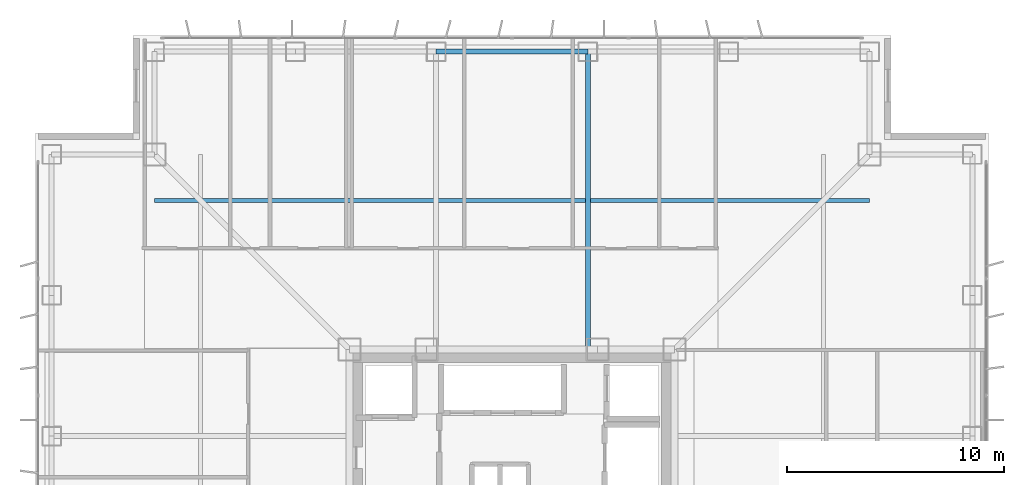
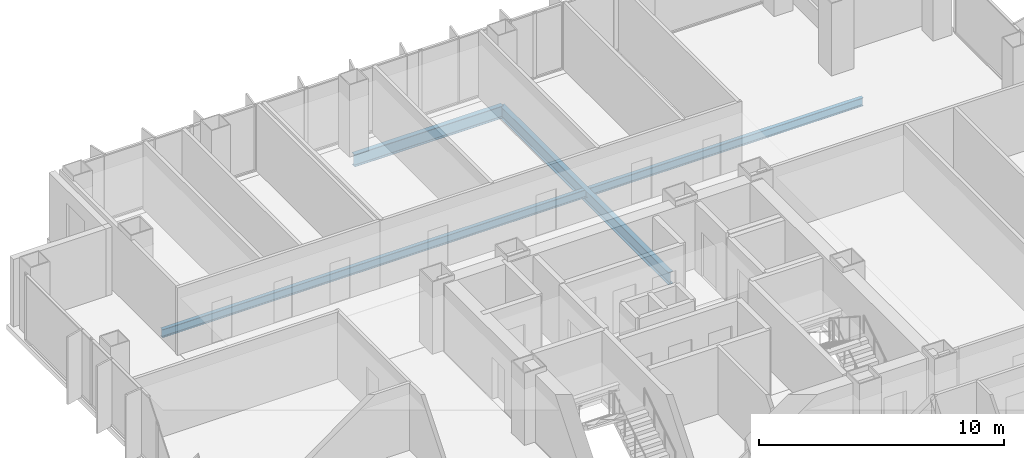
# One storey, part 10 of 18: 3 beams.
"""IFC4 building model written with IfcOpenShell, lengths in metres."""

import ifcopenshell
import ifcopenshell.guid

model = None  # the IFC model being written
_history = None  # IfcOwnerHistory: only IFC2X3 demands one
_inside = {}  # id of a spatial element -> (the spatial element, [elements in it])
_under = {}  # id of a project, library or spatial element -> (it, [spatial elements below it])
_declared = {}  # id of a project -> (the project, [libraries it declares])
_typed = {}  # id of a type object -> (the type object, [elements of that type])
_made_of = {}  # id of a material, layer set ... -> (it, [elements and type objects made of it])


def new_model(schema):
    """Start an empty IFC model of exactly this schema.

    Asked for "IFC4X3", IfcOpenShell would pick the latest addendum, in which some entities
    have other attributes; the version numbers below select the first issue.
    IFC2X3 requires an IfcOwnerHistory on every rooted entity: one is made here for all.
    """
    global model, _history
    if schema == "IFC4X3":
        model = ifcopenshell.file(schema_version=(4, 3, 0, 0))
    else:
        model = ifcopenshell.file(schema=schema)
    _inside.clear()
    _under.clear()
    _declared.clear()
    _typed.clear()
    _made_of.clear()
    _history = None
    if model.schema == "IFC2X3":
        org = make("IfcOrganization", Name="unknown")
        user = make(
            "IfcPersonAndOrganization",
            ThePerson=make("IfcPerson", FamilyName="unknown"),
            TheOrganization=org,
        )
        app = make(
            "IfcApplication",
            ApplicationDeveloper=org,
            Version="unknown",
            ApplicationFullName="unknown",
            ApplicationIdentifier="unknown",
        )
        _history = make(
            "IfcOwnerHistory",
            OwningUser=user,
            OwningApplication=app,
            ChangeAction="ADDED",
            CreationDate=0,
        )
    return model


def make(cls, **values):
    """One entity of the class cls with the attributes given. An attribute that is None is left unset."""
    return model.create_entity(
        cls, **{name: value for name, value in values.items() if value is not None}
    )


def rooted(cls, **values):
    """An entity with a GlobalId (a new one), such as an element, a storey or a relation."""
    return make(cls, GlobalId=ifcopenshell.guid.new(), OwnerHistory=_history, **values)


def si_unit(unit_type, name, prefix=None):
    """IfcSIUnit, for example si_unit("LENGTHUNIT", "METRE", prefix="MILLI")."""
    return make("IfcSIUnit", UnitType=unit_type, Prefix=prefix, Name=name)


def assignment(units):
    """IfcUnitAssignment: the units of a project."""
    return None if units is None else make("IfcUnitAssignment", Units=units)


def point(xyz):
    """IfcCartesianPoint."""
    return None if xyz is None else make("IfcCartesianPoint", Coordinates=xyz)


def direction(xyz):
    """IfcDirection."""
    return None if xyz is None else make("IfcDirection", DirectionRatios=xyz)


def frame(location, z_axis=None, x_axis=None):
    """IfcAxis2Placement3D, a coordinate frame: its origin and axes. An axis left out is left unset."""
    return make(
        "IfcAxis2Placement3D",
        Location=point(location),
        Axis=direction(z_axis),
        RefDirection=direction(x_axis),
    )


def frame_2d(location, x_axis=None):
    """IfcAxis2Placement2D, a coordinate frame in the plane: its origin and x axis."""
    return make(
        "IfcAxis2Placement2D", Location=point(location), RefDirection=direction(x_axis)
    )


def origin():
    """The frame at (0, 0, 0) with its axes left unset."""
    return frame((0.0, 0.0, 0.0))


def origin_2d():
    """The frame at (0, 0) in the plane with its x axis left unset."""
    return frame_2d((0.0, 0.0))


def place(relative_to, where):
    """IfcLocalPlacement: puts the frame where relative to a parent placement (None: the world)."""
    return make(
        "IfcLocalPlacement", PlacementRelTo=relative_to, RelativePlacement=where
    )


def context(
    kind, dimensions, precision=None, world=None, true_north=None, identifier=None
):
    """IfcGeometricRepresentationContext, for example the 3D "Model" context."""
    return make(
        "IfcGeometricRepresentationContext",
        ContextIdentifier=identifier,
        ContextType=kind,
        CoordinateSpaceDimension=dimensions,
        Precision=precision,
        WorldCoordinateSystem=world,
        TrueNorth=true_north,
    )


def subcontext(parent, identifier, kind, view, scale=None):
    """IfcGeometricRepresentationSubContext, for example "Body" below "Model"."""
    return make(
        "IfcGeometricRepresentationSubContext",
        ContextIdentifier=identifier,
        ContextType=kind,
        ParentContext=parent,
        TargetScale=scale,
        TargetView=view,
    )


def project(units=None, contexts=None):
    """IfcProject with its units and contexts."""
    return rooted(
        "IfcProject",
        Name="project",
        RepresentationContexts=contexts,
        UnitsInContext=assignment(units),
    )


def spatial(cls, under=None, at=None, **own):
    """A site, building, storey or space (cls), placed at a placement, below another one or the project."""
    s = rooted(cls, ObjectPlacement=at, **own)
    if under is not None:
        _under.setdefault(under.id(), (under, []))[1].append(s)
    return s


def profile(cls, at=None, kind="AREA", **sizes):
    """A parametric profile (cls). Its sizes go by their IFC names, for example OverallWidth=200.0."""
    return make(cls, ProfileType=kind, Position=at, **sizes)


def i_section(**sizes):
    """IfcIShapeProfileDef."""
    return profile("IfcIShapeProfileDef", **sizes)


def extrude(swept, where, along, depth):
    """IfcExtrudedAreaSolid: the profile swept, set in the frame where, extruded along a direction by depth."""
    return make(
        "IfcExtrudedAreaSolid",
        SweptArea=swept,
        Position=where,
        ExtrudedDirection=direction(along),
        Depth=depth,
    )


def shape(context_of_items, identifier, shape_type, items):
    """IfcShapeRepresentation: the items that make up one representation, for example the "Body"."""
    return make(
        "IfcShapeRepresentation",
        ContextOfItems=context_of_items,
        RepresentationIdentifier=identifier,
        RepresentationType=shape_type,
        Items=items,
    )


def material(Name=None, Category=None):
    """IfcMaterial."""
    return make("IfcMaterial", Name=Name, Category=Category)


def material_profile(
    of_material, cross_section, Name=None, Category=None, Priority=None
):
    """IfcMaterialProfile: a cross section and its material."""
    return make(
        "IfcMaterialProfile",
        Name=Name,
        Material=of_material,
        Profile=cross_section,
        Priority=Priority,
        Category=Category,
    )


def profile_set(profiles, Name=None, composite=None):
    """IfcMaterialProfileSet."""
    return make(
        "IfcMaterialProfileSet",
        Name=Name,
        MaterialProfiles=profiles,
        CompositeProfile=composite,
    )


def made_of(thing, what):
    """Note that an element or type object is made of a material, layer set ...; save() writes the relation."""
    if what is not None:
        _made_of.setdefault(what.id(), (what, []))[1].append(thing)
    return thing


def type_object(cls, material=None, **own):
    """A type object (cls), such as IfcWallType, which elements share."""
    return made_of(rooted(cls, **own), material)


def element(
    cls,
    number,
    at=None,
    inside=None,
    cuts=None,
    type_object=None,
    material=None,
    context=None,
    identifier="Body",
    shape_type=None,
    held_by="IfcProductDefinitionShape",
    body=None,
    shapes=None,
    **own,
):
    """One element of the class cls, such as IfcWall. Its Tag is "e" and its number.

    at: its placement. inside: the storey or other place that contains it. cuts: it is an
    opening in that element (IfcRelVoidsElement). A single representation is given by context,
    identifier, shape_type and body (its items); several are given by shapes. held_by: the class
    of the entity that holds the representations. save() writes the other relations.
    """
    e = rooted(cls, Tag="e%d" % number, ObjectPlacement=at, **own)
    if body is not None:
        shapes = [shape(context, identifier, shape_type, body)]
    if shapes is not None:
        e.Representation = make(held_by, Representations=shapes)
    if inside is not None:
        _inside.setdefault(inside.id(), (inside, []))[1].append(e)
    if cuts is not None:
        rooted(
            "IfcRelVoidsElement", RelatingBuildingElement=cuts, RelatedOpeningElement=e
        )
    if type_object is not None:
        _typed.setdefault(type_object.id(), (type_object, []))[1].append(e)
    return made_of(e, material)


def aggregate(whole, parts):
    """IfcRelAggregates: a whole, such as a stair, and the parts it consists of."""
    return rooted("IfcRelAggregates", RelatingObject=whole, RelatedObjects=parts)


def save(model, path):
    """Write the relations noted so far, then the file.

    IfcRelAggregates (storeys below a building ...), IfcRelContainedInSpatialStructure (elements
    in a storey), IfcRelDefinesByType, IfcRelAssociatesMaterial and IfcRelDeclares: one each for
    every whole, place, type object, material and project.
    """
    for whole, parts in _under.values():
        aggregate(whole, parts)
    for where, things in _inside.values():
        rooted(
            "IfcRelContainedInSpatialStructure",
            RelatedElements=things,
            RelatingStructure=where,
        )
    for kind, things in _typed.values():
        rooted("IfcRelDefinesByType", RelatedObjects=things, RelatingType=kind)
    for what, things in _made_of.values():
        rooted("IfcRelAssociatesMaterial", RelatedObjects=things, RelatingMaterial=what)
    for by, libraries in _declared.values():
        rooted("IfcRelDeclares", RelatingContext=by, RelatedDefinitions=libraries)
    model.write(path)


model = new_model("IFC4")

# Units and contexts
model_context = context("Model", 3, precision=1e-05, world=origin(), true_north=direction((0.0, 1.0)))
body_context = subcontext(model_context, "Body", "Model", "MODEL_VIEW")
ifc_project = project(units=[si_unit("LENGTHUNIT", "METRE"), si_unit("AREAUNIT", "SQUARE_METRE"), si_unit("VOLUMEUNIT", "CUBIC_METRE"), si_unit("PLANEANGLEUNIT", "RADIAN"), si_unit("MASSUNIT", "GRAM", prefix="KILO")], contexts=[model_context])

# Site, building, storey
site_placement = place(None, origin())
site = spatial("IfcSite", under=ifc_project, at=site_placement, CompositionType="ELEMENT")
building_placement = place(site_placement, origin())
building = spatial("IfcBuilding", under=site, at=building_placement, Name="Trevonay Congress Spire", CompositionType="ELEMENT")
storey_placement = place(building_placement, frame((0.0, 0.0, 148.0)))
storey = spatial("IfcBuildingStorey", under=building, at=storey_placement, Name="L38", CompositionType="ELEMENT", Elevation=148.0)

# Beams
ifc_material = material(Name="Steel ASTM A572 Grade 50", Category="steel")
ifc_material_profile_1 = material_profile(ifc_material, i_section(OverallWidth=0.22998046875, OverallDepth=0.616943359375, WebThickness=0.01318359375, FlangeThickness=0.022216796875, FilletRadius=0.01611328125, at=origin_2d()), Name="W610x140")
ifc_profile_set_1 = profile_set([ifc_material_profile_1], Name="Steel ASTM A572 Grade 50")
beam_type_1 = type_object("IfcBeamType", Name="BM-GIRD-W610X140", PredefinedType="BEAM", material=ifc_profile_set_1)
beam_1_placement = place(storey_placement, frame((3.5, 7.5, -0.548583984375), z_axis=(0.0, 1.0, 0.0), x_axis=(-1.0, 0.0, 0.0)))
element("IfcBeam", 1, at=beam_1_placement, inside=storey, type_object=beam_type_1, Name="L38 structural beam BM-L38-GN-P", PredefinedType="BEAM", context=body_context, shape_type="SweptSolid", body=[
    extrude(i_section(OverallWidth=0.22998046875, OverallDepth=0.616943359375, WebThickness=0.01318359375, FlangeThickness=0.022216796875, FilletRadius=0.01611328125, at=origin_2d()), origin(), (0.0, 0.0, 1.0), 13.75),
])
ifc_material_profile_2 = material_profile(ifc_material, i_section(OverallWidth=0.22802734375, OverallDepth=0.60791015625, WebThickness=0.01123046875, FlangeThickness=0.017333984375, FilletRadius=0.01611328125, at=origin_2d()), Name="W610x113")
ifc_profile_set_2 = profile_set([ifc_material_profile_2], Name="Steel ASTM A572 Grade 50")
beam_type_2 = type_object("IfcBeamType", Name="BM-RING-W610X113", PredefinedType="BEAM", material=ifc_profile_set_2)
beam_2_placement = place(storey_placement, frame((-3.5, 21.25, -0.5439453125), z_axis=(1.0, 0.0, 0.0), x_axis=(0.0, 1.0, 0.0)))
element("IfcBeam", 2, at=beam_2_placement, inside=storey, type_object=beam_type_2, Name="L38 structural beam BM-L38-PN3", PredefinedType="BEAM", context=body_context, shape_type="SweptSolid", body=[
    extrude(i_section(OverallWidth=0.22802734375, OverallDepth=0.60791015625, WebThickness=0.01123046875, FlangeThickness=0.017333984375, FilletRadius=0.01611328125, at=origin_2d()), origin(), (0.0, 0.0, 1.0), 7.0),
])
ifc_material_profile_3 = material_profile(ifc_material, i_section(OverallWidth=0.177978515625, OverallDepth=0.406982421875, WebThickness=0.0078125, FlangeThickness=0.0126953125, FilletRadius=0.012939453125, at=origin_2d()), Name="W410x60")
ifc_profile_set_3 = profile_set([ifc_material_profile_3], Name="Steel ASTM A572 Grade 50")
beam_type_3 = type_object("IfcBeamType", Name="JS-COMP-W410X60", PredefinedType="JOIST", material=ifc_profile_set_3)
beam_3_placement = place(storey_placement, frame((-16.5, 14.375, -0.443603515625), z_axis=(1.0, 0.0, 0.0), x_axis=(0.0, 1.0, 0.0)))
element("IfcBeam", 3, at=beam_3_placement, inside=storey, type_object=beam_type_3, Name="L38 structural beam JS-L38-RING-N", PredefinedType="JOIST", context=body_context, shape_type="SweptSolid", body=[
    extrude(i_section(OverallWidth=0.177978515625, OverallDepth=0.406982421875, WebThickness=0.0078125, FlangeThickness=0.0126953125, FilletRadius=0.012939453125, at=origin_2d()), origin(), (0.0, 0.0, 1.0), 33.0),
])

save(model, "model.ifc")
